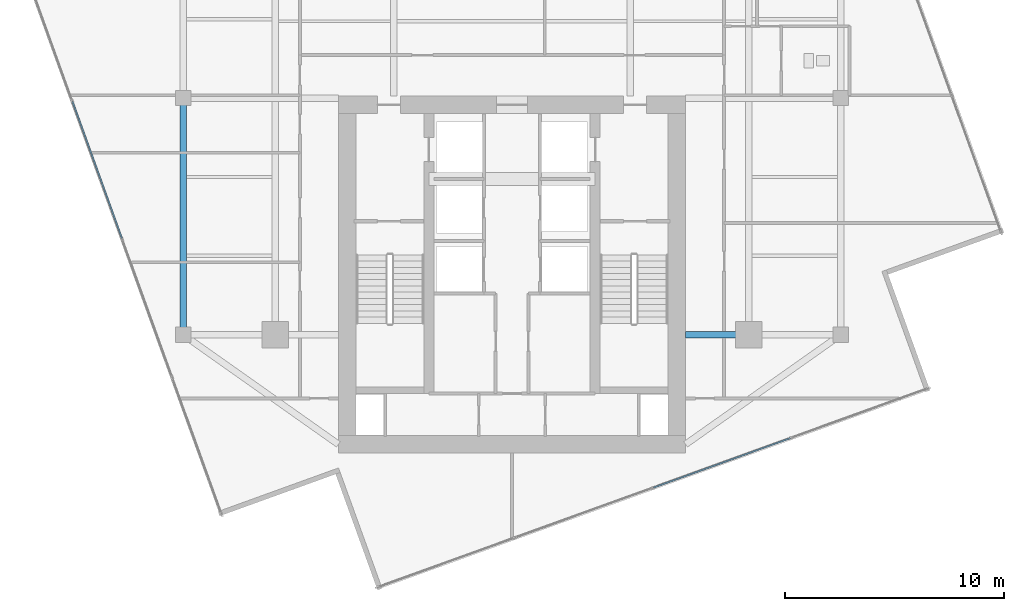
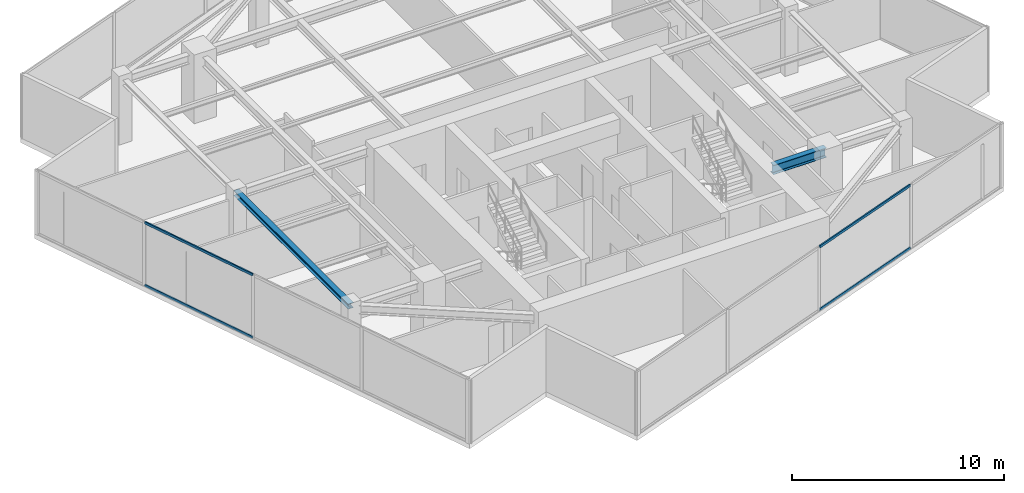
# One storey, part 4 of 21: 4 members, 2 beams, 2 elements without a shape of their own.
"""IFC4 building model written with IfcOpenShell, lengths in metres."""

from ifc_helpers import new_model, si_unit, direction, frame, origin, origin_2d, place, context, subcontext, project, spatial, hollow_rectangle, i_section, extrude, source, transform, mapped, material, material_profile, profile_set, type_object, type_shapes, element, aggregate, save


model = new_model("IFC4")

# Units and contexts
model_context = context("Model", 3, precision=1e-05, world=origin(), true_north=direction((0.0, 1.0)))
body_context = subcontext(model_context, "Body", "Model", "MODEL_VIEW")
ifc_project = project(units=[si_unit("LENGTHUNIT", "METRE"), si_unit("AREAUNIT", "SQUARE_METRE"), si_unit("VOLUMEUNIT", "CUBIC_METRE"), si_unit("PLANEANGLEUNIT", "RADIAN"), si_unit("MASSUNIT", "GRAM", prefix="KILO")], contexts=[model_context])

# Site, building, storey
site_placement = place(None, origin())
site = spatial("IfcSite", under=ifc_project, at=site_placement, CompositionType="ELEMENT")
building_placement = place(site_placement, origin())
building = spatial("IfcBuilding", under=site, at=building_placement, Name="Krantzveldt Concourse Tower", CompositionType="ELEMENT")
storey_placement = place(building_placement, frame((0.0, 0.0, 335.60009765625)))
storey = spatial("IfcBuildingStorey", under=building, at=storey_placement, Name="L82", CompositionType="ELEMENT", Elevation=335.60009765625)

# Beams
ifc_material_1 = material(Name="Steel S355JR", Category="steel")
ifc_material_profile_1 = material_profile(ifc_material_1, i_section(OverallWidth=0.300048828125, OverallDepth=0.5400390625, WebThickness=0.012451171875, FlangeThickness=0.02392578125, FilletRadius=0.027099609375, at=origin_2d()), Name="Steel S355JR", Category="steel")
ifc_profile_set_1 = profile_set([ifc_material_profile_1], Name="Steel S355JR - HEA 550")
beam_type_1 = type_object("IfcBeamType", Name="BM-B-HEA550", PredefinedType="BEAM", material=ifc_profile_set_1)
shared_shape_1 = source(origin(), body_context, "Body", "SweptSolid", [
    extrude(i_section(OverallWidth=0.300048828125, OverallDepth=0.5400390625, WebThickness=0.012451171875, FlangeThickness=0.02392578125, FilletRadius=0.027099609375, at=origin_2d()), origin(), (0.0, 0.0, 1.0), 2.880126953125),
])
type_shapes(beam_type_1, [shared_shape_1])
beam_1_placement = place(storey_placement, frame((43.919921875, 15.89990234375, 3.39990234375), z_axis=(1.0, 0.0, 0.0), x_axis=(0.0, 1.0, 0.0)))
element("IfcBeam", 1, at=beam_1_placement, inside=storey, type_object=beam_type_1, Name="L82 Tower Girder BG-CE1", PredefinedType="BEAM", context=body_context, shape_type="MappedRepresentation", body=[
    mapped(shared_shape_1, transform((0.0, 0.0, 0.0), x_axis=(1.0, 0.0, 0.0), y_axis=(0.0, 1.0, 0.0), z_axis=(0.0, 0.0, 1.0), scale=1.0)),
])
ifc_material_profile_2 = material_profile(ifc_material_1, i_section(OverallWidth=0.2900390625, OverallDepth=0.2900390625, WebThickness=0.008544921875, FlangeThickness=0.013916015625, FilletRadius=0.027099609375, at=origin_2d()), Name="Steel S355JR", Category="steel")
ifc_profile_set_2 = profile_set([ifc_material_profile_2], Name="Steel S355JR - HEA 300")
beam_type_2 = type_object("IfcBeamType", Name="BM-SP-HEA300", PredefinedType="SPANDREL", material=ifc_profile_set_2)
shared_shape_2 = source(origin(), body_context, "Body", "SweptSolid", [
    extrude(i_section(OverallWidth=0.2900390625, OverallDepth=0.2900390625, WebThickness=0.008544921875, FlangeThickness=0.013916015625, FilletRadius=0.027099609375, at=origin_2d()), origin(), (0.0, 0.0, 1.0), 10.800048828125),
])
type_shapes(beam_type_2, [shared_shape_2])
beam_2_placement = place(storey_placement, frame((21.0, 15.89990234375, 3.52490234375), z_axis=(0.0, 1.0, 0.0), x_axis=(-1.0, 0.0, 0.0)))
element("IfcBeam", 2, at=beam_2_placement, inside=storey, type_object=beam_type_2, Name="L82 Tower Girder SP-R01", PredefinedType="SPANDREL", context=body_context, shape_type="MappedRepresentation", body=[
    mapped(shared_shape_2, transform((0.0, 0.0, 0.0), x_axis=(1.0, 0.0, 0.0), y_axis=(0.0, 1.0, 0.0), z_axis=(0.0, 0.0, 1.0), scale=1.0)),
])

# Curtain wall, members
ifc_material_2 = material(Name="Anodised aluminium 6063-T6", Category="aluminium")
curtain_wall_type = type_object("IfcCurtainWallType", Name="CW4", PredefinedType="USERDEFINED", material=ifc_material_2)
curtain_wall_1_placement = place(storey_placement, origin())
curtain_wall_1 = element("IfcCurtainWall", 3, at=curtain_wall_1_placement, inside=storey, type_object=curtain_wall_type, Name="CW-L82-F04", ObjectType="UNITISED CURTAIN WALL", PredefinedType="USERDEFINED")
ifc_material_profile_3 = material_profile(ifc_material_2, hollow_rectangle(XDim=0.070068359375, YDim=0.139892578125, WallThickness=0.0048828125, at=origin_2d()), Name="Anodised aluminium 6063-T6", Category="aluminium")
ifc_profile_set_3 = profile_set([ifc_material_profile_3], Name="Anodised aluminium 6063-T6 - ALU-TRAN 140x70x5")
member_type = type_object("IfcMemberType", Name="CW-TRN-150", PredefinedType="USERDEFINED", material=ifc_profile_set_3)
shared_shape_3 = source(origin(), body_context, "Body", "SweptSolid", [
    extrude(hollow_rectangle(XDim=0.070068359375, YDim=0.139892578125, WallThickness=0.0048828125, at=origin_2d()), origin(), (0.0, 0.0, 1.0), 6.6298828125),
])
type_shapes(member_type, [shared_shape_3])
member_1_placement = place(storey_placement, frame((15.950439453125, 26.539306640625, 0.034912109375), z_axis=(0.339956629823, -0.940441114499, 0.0), x_axis=(0.940441114499, 0.339956629823, 0.0)))
member_1 = element("IfcMember", 4, at=member_1_placement, type_object=member_type, Name="CW-Z56 transom 2.1", ObjectType="TRANSOM", PredefinedType="USERDEFINED", context=body_context, shape_type="MappedRepresentation", body=[
    mapped(shared_shape_3, transform((0.0, 0.0, 0.0), x_axis=(1.0, 0.0, 0.0), y_axis=(0.0, 1.0, 0.0), z_axis=(0.0, 0.0, 1.0), scale=1.0)),
])
member_2_placement = place(storey_placement, frame((15.950439453125, 26.539306640625, 3.635009765625), z_axis=(0.339956629823, -0.940441114499, 0.0), x_axis=(0.940441114499, 0.339956629823, 0.0)))
member_2 = element("IfcMember", 5, at=member_2_placement, type_object=member_type, Name="CW-Z56 transom 2.2", ObjectType="TRANSOM", PredefinedType="USERDEFINED", context=body_context, shape_type="MappedRepresentation", body=[
    mapped(shared_shape_3, transform((0.0, 0.0, 0.0), x_axis=(1.0, 0.0, 0.0), y_axis=(0.0, 1.0, 0.0), z_axis=(0.0, 0.0, 1.0), scale=1.0)),
])
aggregate(curtain_wall_1, [member_1, member_2])

curtain_wall_2_placement = place(storey_placement, origin())
curtain_wall_2 = element("IfcCurtainWall", 6, at=curtain_wall_2_placement, inside=storey, type_object=curtain_wall_type, Name="CW-L82-F07", ObjectType="UNITISED CURTAIN WALL", PredefinedType="USERDEFINED")
member_3_placement = place(storey_placement, frame((42.461669921875, 8.92822265625, 0.034912109375), z_axis=(0.940441114499, 0.339956629823, 0.0), x_axis=(-0.339956629823, 0.940441114499, 0.0)))
member_3 = element("IfcMember", 7, at=member_3_placement, type_object=member_type, Name="CW-Z56 transom 3.1", ObjectType="TRANSOM", PredefinedType="USERDEFINED", context=body_context, shape_type="MappedRepresentation", body=[
    mapped(shared_shape_3, transform((0.0, 0.0, 0.0), x_axis=(1.0, 0.0, 0.0), y_axis=(0.0, 1.0, 0.0), z_axis=(0.0, 0.0, 1.0), scale=1.0)),
])
member_4_placement = place(storey_placement, frame((42.461669921875, 8.92822265625, 3.635009765625), z_axis=(0.940441114499, 0.339956629823, 0.0), x_axis=(-0.339956629823, 0.940441114499, 0.0)))
member_4 = element("IfcMember", 8, at=member_4_placement, type_object=member_type, Name="CW-Z56 transom 3.2", ObjectType="TRANSOM", PredefinedType="USERDEFINED", context=body_context, shape_type="MappedRepresentation", body=[
    mapped(shared_shape_3, transform((0.0, 0.0, 0.0), x_axis=(1.0, 0.0, 0.0), y_axis=(0.0, 1.0, 0.0), z_axis=(0.0, 0.0, 1.0), scale=1.0)),
])
aggregate(curtain_wall_2, [member_3, member_4])

save(model, "model.ifc")
